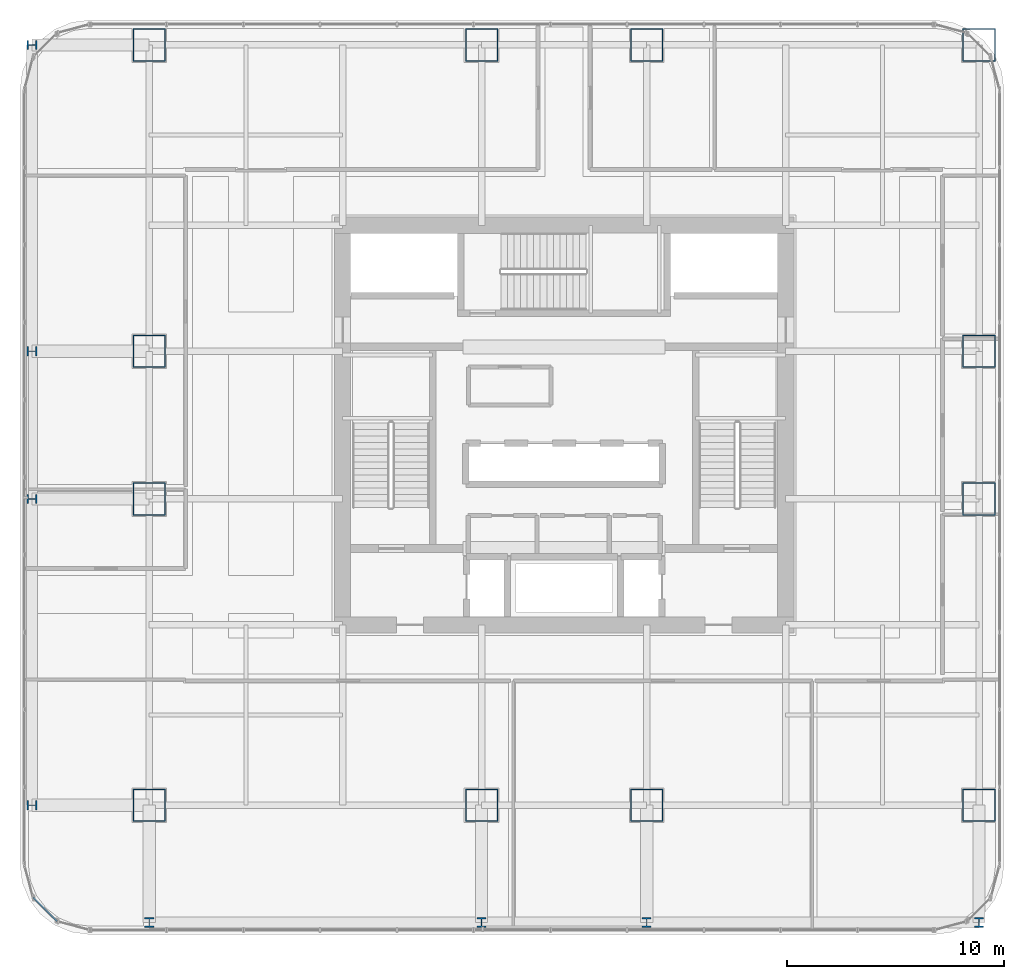
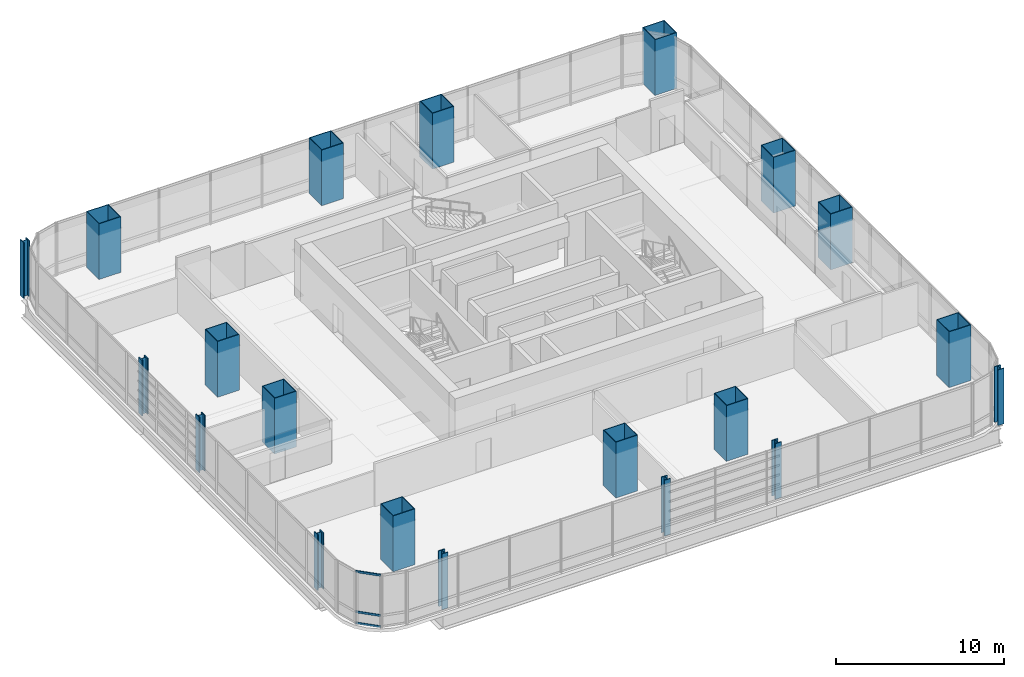
# One storey, part 1 of 36: 20 columns, 3 members, 1 element without a shape of its own.
"""IFC4 building model written with IfcOpenShell, lengths in metres."""

from ifc_helpers import new_model, si_unit, direction, frame, origin, origin_2d, place, context, subcontext, project, spatial, hollow_rectangle, i_section, extrude, material, material_profile, profile_set, type_object, element, aggregate, save


model = new_model("IFC4")

# Units and contexts
model_context = context("Model", 3, precision=1e-05, world=origin(), true_north=direction((0.0, 1.0)))
body_context = subcontext(model_context, "Body", "Model", "MODEL_VIEW")
ifc_project = project(units=[si_unit("LENGTHUNIT", "METRE"), si_unit("AREAUNIT", "SQUARE_METRE"), si_unit("VOLUMEUNIT", "CUBIC_METRE"), si_unit("PLANEANGLEUNIT", "RADIAN"), si_unit("MASSUNIT", "GRAM", prefix="KILO")], contexts=[model_context])

# Site, building, storey
site_placement = place(None, origin())
site = spatial("IfcSite", under=ifc_project, at=site_placement, CompositionType="ELEMENT")
building_placement = place(site_placement, origin())
building = spatial("IfcBuilding", under=site, at=building_placement, Name="Punatoya Terracotta Tower", CompositionType="ELEMENT")
storey_placement = place(building_placement, frame((0.0, 0.0, 40.35009765625)))
storey = spatial("IfcBuildingStorey", under=building, at=storey_placement, Name="L08", CompositionType="ELEMENT", Elevation=40.35009765625)

# Columns
ifc_material_1 = material(Name="Steel S460", Category="steel")
ifc_material_profile_1 = material_profile(ifc_material_1, i_section(OverallWidth=0.416015625, OverallDepth=0.446044921875, WebThickness=0.0390625, FlangeThickness=0.06201171875, FilletRadius=0.01806640625, at=origin_2d()))
ifc_profile_set_1 = profile_set([ifc_material_profile_1], Name="Steel S460")
column_type_1 = type_object("IfcColumnType", Name="COL-EX-M1", PredefinedType="COLUMN", material=ifc_profile_set_1)
for number, where, z_axis, x_axis, name in (
    (1, (-19.10009765625, -22.89990234375, 0.0), (0.0, 0.0, 1.0), (1.0, 0.0, 0.0), "L08 Exoskeleton Perimeter Column S1"),
    (2, (-3.800048828125, -22.89990234375, 0.0), (0.0, 0.0, 1.0), (1.0, 0.0, 0.0), "L08 Exoskeleton Perimeter Column S2"),
    (3, (3.800048828125, -22.89990234375, 0.0), (0.0, 0.0, 1.0), (1.0, 0.0, 0.0), "L08 Exoskeleton Perimeter Column S3"),
    (4, (19.10009765625, -22.89990234375, 0.0), (0.0, 0.0, 1.0), (1.0, 0.0, 0.0), "L08 Exoskeleton Perimeter Column S4"),
    (5, (-24.5, -17.5, 0.0), (0.0, 0.0, 1.0), (0.0, 1.0, 0.0), "L08 Exoskeleton Perimeter Column W1"),
    (6, (-24.5, -3.39990234375, 0.0), (0.0, 0.0, 1.0), (0.0, 1.0, 0.0), "L08 Exoskeleton Perimeter Column W2"),
    (7, (-24.5, 3.39990234375, 0.0), (0.0, 0.0, 1.0), (0.0, 1.0, 0.0), "L08 Exoskeleton Perimeter Column W3"),
    (8, (-24.5, 17.5, 0.0), (0.0, 0.0, 1.0), (0.0, 1.0, 0.0), "L08 Exoskeleton Perimeter Column W4"),
):
    element("IfcColumn", number, at=place(storey_placement, frame(where, z_axis=z_axis, x_axis=x_axis)), inside=storey, type_object=column_type_1, Name=name, PredefinedType="COLUMN", context=body_context, shape_type="SweptSolid", body=[
        extrude(i_section(OverallWidth=0.416015625, OverallDepth=0.446044921875, WebThickness=0.0390625, FlangeThickness=0.06201171875, FilletRadius=0.01806640625, at=origin_2d()), origin(), (0.0, 0.0, 1.0), 4.0478515625),
    ])
ifc_material_profile_2 = material_profile(ifc_material_1, hollow_rectangle(XDim=1.5, YDim=1.5, WallThickness=0.044921875, at=origin_2d()))
ifc_profile_set_2 = profile_set([ifc_material_profile_2], Name="Steel S460")
column_type_2 = type_object("IfcColumnType", Name="COL-MC-Z1", PredefinedType="COLUMN", material=ifc_profile_set_2)
for number, where, z_axis, x_axis, name in (
    (9, (-19.10009765625, -17.5, 0.0), (0.0, 0.0, 1.0), (1.0, 0.0, 0.0), "L08 Composite Mega-Column MC-01 (3-B)"),
    (10, (-3.800048828125, -17.5, 0.0), (0.0, 0.0, 1.0), (1.0, 0.0, 0.0), "L08 Composite Mega-Column MC-02 (5-B)"),
    (11, (3.800048828125, -17.5, 0.0), (0.0, 0.0, 1.0), (1.0, 0.0, 0.0), "L08 Composite Mega-Column MC-03 (7-B)"),
    (12, (19.10009765625, -17.5, 0.0), (0.0, 0.0, 1.0), (1.0, 0.0, 0.0), "L08 Composite Mega-Column MC-04 (9-B)"),
    (13, (19.10009765625, -3.39990234375, 0.0), (0.0, 0.0, 1.0), (1.0, 0.0, 0.0), "L08 Composite Mega-Column MC-05 (9-D)"),
    (14, (19.10009765625, 3.39990234375, 0.0), (0.0, 0.0, 1.0), (1.0, 0.0, 0.0), "L08 Composite Mega-Column MC-06 (9-E)"),
    (15, (19.10009765625, 17.5, 0.0), (0.0, 0.0, 1.0), (1.0, 0.0, 0.0), "L08 Composite Mega-Column MC-07 (9-G)"),
    (16, (3.800048828125, 17.5, 0.0), (0.0, 0.0, 1.0), (1.0, 0.0, 0.0), "L08 Composite Mega-Column MC-08 (7-G)"),
    (17, (-3.800048828125, 17.5, 0.0), (0.0, 0.0, 1.0), (1.0, 0.0, 0.0), "L08 Composite Mega-Column MC-09 (5-G)"),
    (18, (-19.10009765625, 17.5, 0.0), (0.0, 0.0, 1.0), (1.0, 0.0, 0.0), "L08 Composite Mega-Column MC-10 (3-G)"),
    (19, (-19.10009765625, 3.39990234375, 0.0), (0.0, 0.0, 1.0), (1.0, 0.0, 0.0), "L08 Composite Mega-Column MC-11 (3-E)"),
    (20, (-19.10009765625, -3.39990234375, 0.0), (0.0, 0.0, 1.0), (1.0, 0.0, 0.0), "L08 Composite Mega-Column MC-12 (3-D)"),
):
    element("IfcColumn", number, at=place(storey_placement, frame(where, z_axis=z_axis, x_axis=x_axis)), inside=storey, type_object=column_type_2, Name=name, PredefinedType="COLUMN", context=body_context, shape_type="SweptSolid", body=[
        extrude(hollow_rectangle(XDim=1.5, YDim=1.5, WallThickness=0.044921875, at=origin_2d()), origin(), (0.0, 0.0, 1.0), 4.0498046875),
    ])

# Curtain wall, members
ifc_material_2 = material(Name="Aluminium 6063-T6 + Double Low-E Glass", Category="aluminium")
curtain_wall_type = type_object("IfcCurtainWallType", Name="CW-M1", PredefinedType="NOTDEFINED", material=ifc_material_2)
curtain_wall_placement = place(storey_placement, origin())
curtain_wall = element("IfcCurtainWall", 21, at=curtain_wall_placement, inside=storey, type_object=curtain_wall_type, Name="L08 Curtain Wall CW-L08-CRN15", PredefinedType="NOTDEFINED")
ifc_material_3 = material(Name="Aluminium 6063-T6", Category="aluminium")
ifc_material_profile_3 = material_profile(ifc_material_3, hollow_rectangle(XDim=0.068115234375, YDim=0.14990234375, WallThickness=0.00390625, at=origin_2d()))
ifc_profile_set_3 = profile_set([ifc_material_profile_3], Name="Aluminium 6063-T6")
member_type = type_object("IfcMemberType", Name="CW-TRN-TYP", PredefinedType="USERDEFINED", material=ifc_profile_set_3)
member_1_placement = place(storey_placement, frame((-24.446533203125, -21.7490234375, 0.039794921875), z_axis=(0.707028130747, -0.707185422879, 0.0), x_axis=(0.707185422879, 0.707028130747, 0.0)))
member_1 = element("IfcMember", 22, at=member_1_placement, type_object=member_type, Name="CW-L08-CRN15 Transom 1", ObjectType="TRANSOM", PredefinedType="USERDEFINED", context=body_context, shape_type="SweptSolid", body=[
    extrude(hollow_rectangle(XDim=0.068115234375, YDim=0.14990234375, WallThickness=0.00390625, at=origin_2d()), origin(), (0.0, 0.0, 1.0), 1.55224609375),
])
member_2_placement = place(storey_placement, frame((-24.446533203125, -21.7490234375, 0.849853515625), z_axis=(0.707028130747, -0.707185422879, 0.0), x_axis=(0.707185422879, 0.707028130747, 0.0)))
member_2 = element("IfcMember", 23, at=member_2_placement, type_object=member_type, Name="CW-L08-CRN15 Transom 2", ObjectType="TRANSOM", PredefinedType="USERDEFINED", context=body_context, shape_type="SweptSolid", body=[
    extrude(hollow_rectangle(XDim=0.068115234375, YDim=0.14990234375, WallThickness=0.00390625, at=origin_2d()), origin(), (0.0, 0.0, 1.0), 1.55224609375),
])
member_3_placement = place(storey_placement, frame((-24.446533203125, -21.7490234375, 3.77001953125), z_axis=(0.707028130747, -0.707185422879, 0.0), x_axis=(0.707185422879, 0.707028130747, 0.0)))
member_3 = element("IfcMember", 24, at=member_3_placement, type_object=member_type, Name="CW-L08-CRN15 Transom 3", ObjectType="TRANSOM", PredefinedType="USERDEFINED", context=body_context, shape_type="SweptSolid", body=[
    extrude(hollow_rectangle(XDim=0.068115234375, YDim=0.14990234375, WallThickness=0.00390625, at=origin_2d()), origin(), (0.0, 0.0, 1.0), 1.55224609375),
])
aggregate(curtain_wall, [member_1, member_2, member_3])

save(model, "model.ifc")
